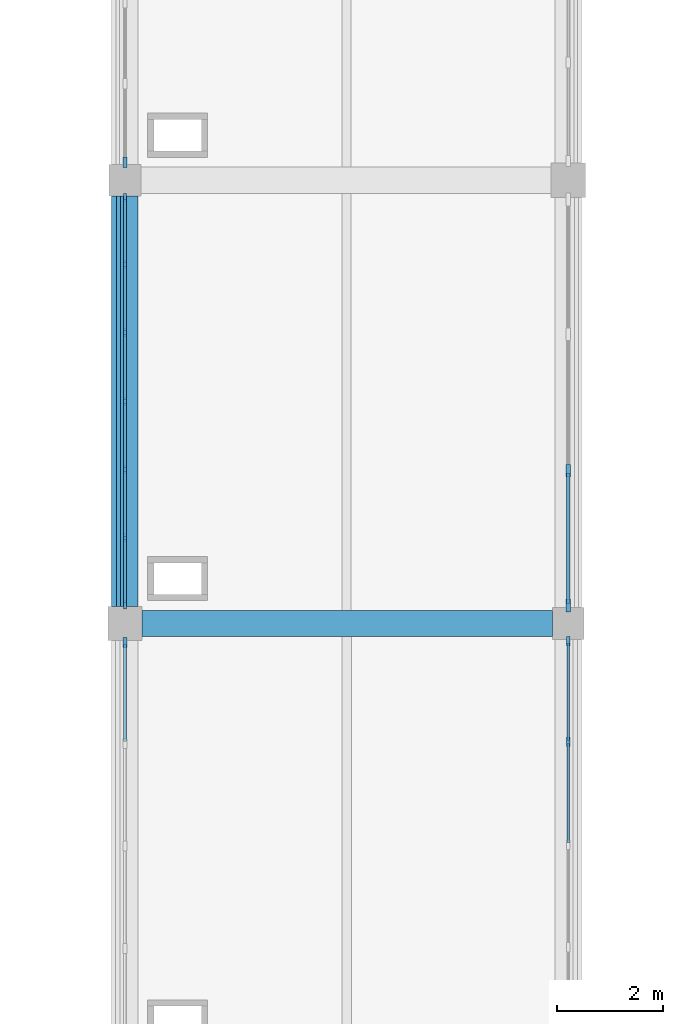
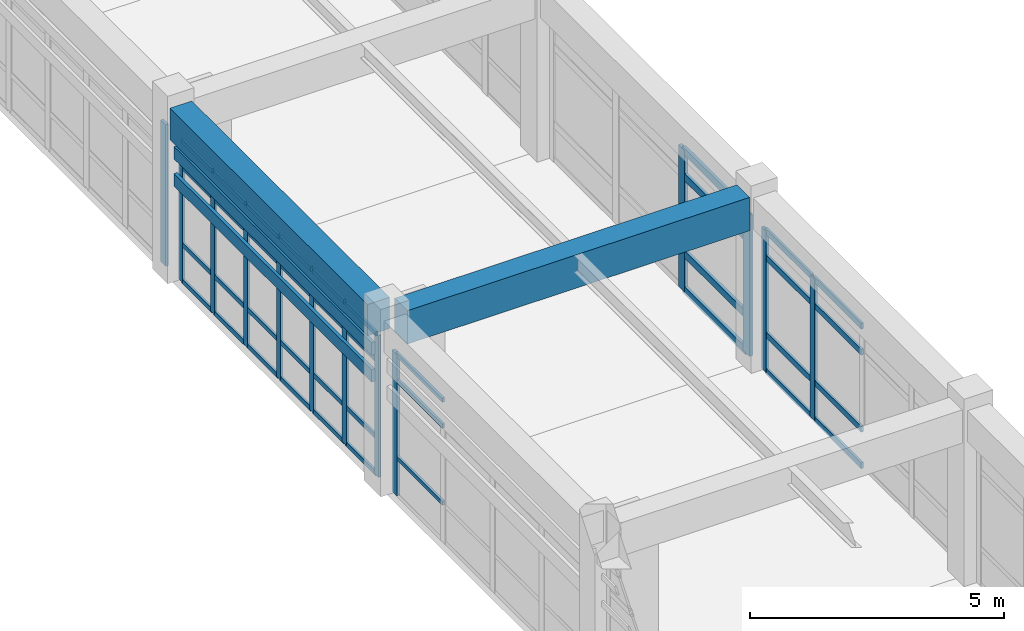
# One storey, part 36 of 99: 54 members, 2 beams, 5 elements without a shape of their own.
"""IFC4 building model written with IfcOpenShell, lengths in metres."""

import ifcopenshell
import ifcopenshell.guid

model = None  # the IFC model being written
_history = None  # IfcOwnerHistory: only IFC2X3 demands one
_inside = {}  # id of a spatial element -> (the spatial element, [elements in it])
_under = {}  # id of a project, library or spatial element -> (it, [spatial elements below it])
_declared = {}  # id of a project -> (the project, [libraries it declares])
_typed = {}  # id of a type object -> (the type object, [elements of that type])
_made_of = {}  # id of a material, layer set ... -> (it, [elements and type objects made of it])


def new_model(schema):
    """Start an empty IFC model of exactly this schema.

    Asked for "IFC4X3", IfcOpenShell would pick the latest addendum, in which some entities
    have other attributes; the version numbers below select the first issue.
    IFC2X3 requires an IfcOwnerHistory on every rooted entity: one is made here for all.
    """
    global model, _history
    if schema == "IFC4X3":
        model = ifcopenshell.file(schema_version=(4, 3, 0, 0))
    else:
        model = ifcopenshell.file(schema=schema)
    _inside.clear()
    _under.clear()
    _declared.clear()
    _typed.clear()
    _made_of.clear()
    _history = None
    if model.schema == "IFC2X3":
        org = make("IfcOrganization", Name="unknown")
        user = make(
            "IfcPersonAndOrganization",
            ThePerson=make("IfcPerson", FamilyName="unknown"),
            TheOrganization=org,
        )
        app = make(
            "IfcApplication",
            ApplicationDeveloper=org,
            Version="unknown",
            ApplicationFullName="unknown",
            ApplicationIdentifier="unknown",
        )
        _history = make(
            "IfcOwnerHistory",
            OwningUser=user,
            OwningApplication=app,
            ChangeAction="ADDED",
            CreationDate=0,
        )
    return model


def make(cls, **values):
    """One entity of the class cls with the attributes given. An attribute that is None is left unset."""
    return model.create_entity(
        cls, **{name: value for name, value in values.items() if value is not None}
    )


def rooted(cls, **values):
    """An entity with a GlobalId (a new one), such as an element, a storey or a relation."""
    return make(cls, GlobalId=ifcopenshell.guid.new(), OwnerHistory=_history, **values)


def si_unit(unit_type, name, prefix=None):
    """IfcSIUnit, for example si_unit("LENGTHUNIT", "METRE", prefix="MILLI")."""
    return make("IfcSIUnit", UnitType=unit_type, Prefix=prefix, Name=name)


def assignment(units):
    """IfcUnitAssignment: the units of a project."""
    return None if units is None else make("IfcUnitAssignment", Units=units)


def point(xyz):
    """IfcCartesianPoint."""
    return None if xyz is None else make("IfcCartesianPoint", Coordinates=xyz)


def direction(xyz):
    """IfcDirection."""
    return None if xyz is None else make("IfcDirection", DirectionRatios=xyz)


def frame(location, z_axis=None, x_axis=None):
    """IfcAxis2Placement3D, a coordinate frame: its origin and axes. An axis left out is left unset."""
    return make(
        "IfcAxis2Placement3D",
        Location=point(location),
        Axis=direction(z_axis),
        RefDirection=direction(x_axis),
    )


def frame_2d(location, x_axis=None):
    """IfcAxis2Placement2D, a coordinate frame in the plane: its origin and x axis."""
    return make(
        "IfcAxis2Placement2D", Location=point(location), RefDirection=direction(x_axis)
    )


def origin():
    """The frame at (0, 0, 0) with its axes left unset."""
    return frame((0.0, 0.0, 0.0))


def origin_2d():
    """The frame at (0, 0) in the plane with its x axis left unset."""
    return frame_2d((0.0, 0.0))


def place(relative_to, where):
    """IfcLocalPlacement: puts the frame where relative to a parent placement (None: the world)."""
    return make(
        "IfcLocalPlacement", PlacementRelTo=relative_to, RelativePlacement=where
    )


def context(
    kind, dimensions, precision=None, world=None, true_north=None, identifier=None
):
    """IfcGeometricRepresentationContext, for example the 3D "Model" context."""
    return make(
        "IfcGeometricRepresentationContext",
        ContextIdentifier=identifier,
        ContextType=kind,
        CoordinateSpaceDimension=dimensions,
        Precision=precision,
        WorldCoordinateSystem=world,
        TrueNorth=true_north,
    )


def subcontext(parent, identifier, kind, view, scale=None):
    """IfcGeometricRepresentationSubContext, for example "Body" below "Model"."""
    return make(
        "IfcGeometricRepresentationSubContext",
        ContextIdentifier=identifier,
        ContextType=kind,
        ParentContext=parent,
        TargetScale=scale,
        TargetView=view,
    )


def project(units=None, contexts=None):
    """IfcProject with its units and contexts."""
    return rooted(
        "IfcProject",
        Name="project",
        RepresentationContexts=contexts,
        UnitsInContext=assignment(units),
    )


def spatial(cls, under=None, at=None, **own):
    """A site, building, storey or space (cls), placed at a placement, below another one or the project."""
    s = rooted(cls, ObjectPlacement=at, **own)
    if under is not None:
        _under.setdefault(under.id(), (under, []))[1].append(s)
    return s


def profile(cls, at=None, kind="AREA", **sizes):
    """A parametric profile (cls). Its sizes go by their IFC names, for example OverallWidth=200.0."""
    return make(cls, ProfileType=kind, Position=at, **sizes)


def rectangle(**sizes):
    """IfcRectangleProfileDef."""
    return profile("IfcRectangleProfileDef", **sizes)


def extrude(swept, where, along, depth):
    """IfcExtrudedAreaSolid: the profile swept, set in the frame where, extruded along a direction by depth."""
    return make(
        "IfcExtrudedAreaSolid",
        SweptArea=swept,
        Position=where,
        ExtrudedDirection=direction(along),
        Depth=depth,
    )


def shape(context_of_items, identifier, shape_type, items):
    """IfcShapeRepresentation: the items that make up one representation, for example the "Body"."""
    return make(
        "IfcShapeRepresentation",
        ContextOfItems=context_of_items,
        RepresentationIdentifier=identifier,
        RepresentationType=shape_type,
        Items=items,
    )


def material(Name=None, Category=None):
    """IfcMaterial."""
    return make("IfcMaterial", Name=Name, Category=Category)


def layer(
    of_material, thickness, ventilated=None, Name=None, Category=None, Priority=None
):
    """IfcMaterialLayer: one layer of a wall or slab, of a material (None: an air gap)."""
    return make(
        "IfcMaterialLayer",
        Material=of_material,
        LayerThickness=thickness,
        IsVentilated=ventilated,
        Name=Name,
        Category=Category,
        Priority=Priority,
    )


def layer_set(layers, Name=None):
    """IfcMaterialLayerSet."""
    return make("IfcMaterialLayerSet", MaterialLayers=layers, LayerSetName=Name)


def material_profile(
    of_material, cross_section, Name=None, Category=None, Priority=None
):
    """IfcMaterialProfile: a cross section and its material."""
    return make(
        "IfcMaterialProfile",
        Name=Name,
        Material=of_material,
        Profile=cross_section,
        Priority=Priority,
        Category=Category,
    )


def profile_set(profiles, Name=None, composite=None):
    """IfcMaterialProfileSet."""
    return make(
        "IfcMaterialProfileSet",
        Name=Name,
        MaterialProfiles=profiles,
        CompositeProfile=composite,
    )


def made_of(thing, what):
    """Note that an element or type object is made of a material, layer set ...; save() writes the relation."""
    if what is not None:
        _made_of.setdefault(what.id(), (what, []))[1].append(thing)
    return thing


def type_object(cls, material=None, **own):
    """A type object (cls), such as IfcWallType, which elements share."""
    return made_of(rooted(cls, **own), material)


def element(
    cls,
    number,
    at=None,
    inside=None,
    cuts=None,
    type_object=None,
    material=None,
    context=None,
    identifier="Body",
    shape_type=None,
    held_by="IfcProductDefinitionShape",
    body=None,
    shapes=None,
    **own,
):
    """One element of the class cls, such as IfcWall. Its Tag is "e" and its number.

    at: its placement. inside: the storey or other place that contains it. cuts: it is an
    opening in that element (IfcRelVoidsElement). A single representation is given by context,
    identifier, shape_type and body (its items); several are given by shapes. held_by: the class
    of the entity that holds the representations. save() writes the other relations.
    """
    e = rooted(cls, Tag="e%d" % number, ObjectPlacement=at, **own)
    if body is not None:
        shapes = [shape(context, identifier, shape_type, body)]
    if shapes is not None:
        e.Representation = make(held_by, Representations=shapes)
    if inside is not None:
        _inside.setdefault(inside.id(), (inside, []))[1].append(e)
    if cuts is not None:
        rooted(
            "IfcRelVoidsElement", RelatingBuildingElement=cuts, RelatedOpeningElement=e
        )
    if type_object is not None:
        _typed.setdefault(type_object.id(), (type_object, []))[1].append(e)
    return made_of(e, material)


def aggregate(whole, parts):
    """IfcRelAggregates: a whole, such as a stair, and the parts it consists of."""
    return rooted("IfcRelAggregates", RelatingObject=whole, RelatedObjects=parts)


def save(model, path):
    """Write the relations noted so far, then the file.

    IfcRelAggregates (storeys below a building ...), IfcRelContainedInSpatialStructure (elements
    in a storey), IfcRelDefinesByType, IfcRelAssociatesMaterial and IfcRelDeclares: one each for
    every whole, place, type object, material and project.
    """
    for whole, parts in _under.values():
        aggregate(whole, parts)
    for where, things in _inside.values():
        rooted(
            "IfcRelContainedInSpatialStructure",
            RelatedElements=things,
            RelatingStructure=where,
        )
    for kind, things in _typed.values():
        rooted("IfcRelDefinesByType", RelatedObjects=things, RelatingType=kind)
    for what, things in _made_of.values():
        rooted("IfcRelAssociatesMaterial", RelatedObjects=things, RelatingMaterial=what)
    for by, libraries in _declared.values():
        rooted("IfcRelDeclares", RelatingContext=by, RelatedDefinitions=libraries)
    model.write(path)


model = new_model("IFC4")

# Units and contexts
model_context = context("Model", 3, precision=1e-05, world=origin(), true_north=direction((0.0, 1.0)))
body_context = subcontext(model_context, "Body", "Model", "MODEL_VIEW")
ifc_project = project(units=[si_unit("LENGTHUNIT", "METRE"), si_unit("AREAUNIT", "SQUARE_METRE"), si_unit("VOLUMEUNIT", "CUBIC_METRE"), si_unit("PLANEANGLEUNIT", "RADIAN"), si_unit("MASSUNIT", "GRAM", prefix="KILO")], contexts=[model_context])

# Site, building, storey
site_placement = place(None, origin())
site = spatial("IfcSite", under=ifc_project, at=site_placement, CompositionType="ELEMENT")
building_placement = place(site_placement, origin())
building = spatial("IfcBuilding", under=site, at=building_placement, Name="Porcellanite Civic Hall", CompositionType="ELEMENT")
storey_placement = place(building_placement, frame((0.0, 0.0, 5.760009765625)))
storey = spatial("IfcBuildingStorey", under=building, at=storey_placement, Name="L01", CompositionType="ELEMENT", Elevation=5.760009765625)

# Beams
ifc_material_1 = material(Name="Concrete N50 (50 MPa)", Category="concrete")
ifc_material_profile_1 = material_profile(ifc_material_1, rectangle(XDim=0.5, YDim=0.75, at=origin_2d()), Name="RC-500x750")
ifc_profile_set_1 = profile_set([ifc_material_profile_1], Name="Concrete N50 (50 MPa)")
beam_type_1 = type_object("IfcBeamType", Name="BM-RC750", PredefinedType="SPANDREL", material=ifc_profile_set_1)
beam_1_placement = place(storey_placement, frame((117.60009765625, 84.324462890625, 3.824951171875), z_axis=(0.0, 1.0, 0.0), x_axis=(-1.0, 0.0, 0.0)))
element("IfcBeam", 1, at=beam_1_placement, inside=storey, type_object=beam_type_1, Name="Beam Y L01 15-11", PredefinedType="SPANDREL", context=body_context, shape_type="SweptSolid", body=[
    extrude(rectangle(XDim=0.5, YDim=0.75, at=origin_2d()), origin(), (0.0, 0.0, 1.0), 7.776123046875),
])
ifc_material_2 = material(Name="Concrete N50 (50 MPa)", Category="concrete")
ifc_material_profile_2 = material_profile(ifc_material_2, rectangle(XDim=0.5, YDim=0.800048828125, at=origin_2d()), Name="RC-500x800")
ifc_profile_set_2 = profile_set([ifc_material_profile_2], Name="Concrete N50 (50 MPa)")
beam_type_2 = type_object("IfcBeamType", Name="BM-RC800", PredefinedType="BEAM", material=ifc_profile_set_2)
beam_2_placement = place(storey_placement, frame((117.924560546875, 84.0, 3.800048828125), z_axis=(1.0, 0.0, 0.0), x_axis=(0.0, 1.0, 0.0)))
element("IfcBeam", 2, at=beam_2_placement, inside=storey, type_object=beam_type_2, Name="Beam X L01 15-11", PredefinedType="BEAM", context=body_context, shape_type="SweptSolid", body=[
    extrude(rectangle(XDim=0.5, YDim=0.800048828125, at=origin_2d()), origin(), (0.0, 0.0, 1.0), 7.77587890625),
])

# Curtain wall, members
ifc_material_3 = material(Name="Anodised aluminium and solar laminated glass", Category="aluminium")
ifc_layer_1 = layer(ifc_material_3, 0.179931640625)
ifc_layer_set_1 = layer_set([ifc_layer_1], Name="Anodised aluminium and solar laminated glass")
curtain_wall_type_1 = type_object("IfcCurtainWallType", Name="CW-SYS08", PredefinedType="NOTDEFINED", material=ifc_layer_set_1)
curtain_wall_1_placement = place(storey_placement, origin())
curtain_wall_1 = element("IfcCurtainWall", 3, at=curtain_wall_1_placement, inside=storey, type_object=curtain_wall_type_1, Name="Curtain wall CW-112", PredefinedType="NOTDEFINED")
ifc_material_4 = material(Name="Anodised aluminium 6063-T6", Category="aluminium")
ifc_material_profile_3 = material_profile(ifc_material_4, rectangle(XDim=0.080078125, YDim=0.239990234375, at=origin_2d()), Name="AL-80x240")
ifc_profile_set_3 = profile_set([ifc_material_profile_3], Name="Anodised aluminium 6063-T6")
member_type_1 = type_object("IfcMemberType", Name="CWM-01", PredefinedType="MULLION", material=ifc_profile_set_3)
member_1_placement = place(storey_placement, frame((126.0, 86.89208984375, 0.0), z_axis=(0.0, 0.0, 1.0), x_axis=(1.0, 0.0, 0.0)))
member_1 = element("IfcMember", 4, at=member_1_placement, type_object=member_type_1, Name="CW-112 mullion 3", PredefinedType="MULLION", context=body_context, shape_type="SweptSolid", body=[
    extrude(rectangle(XDim=0.080078125, YDim=0.239990234375, at=origin_2d()), origin(), (0.0, 0.0, 1.0), 3.39990234375),
])
member_2_placement = place(storey_placement, frame((126.0, 84.341064453125, 0.0), z_axis=(0.0, 0.0, 1.0), x_axis=(1.0, 0.0, 0.0)))
member_2 = element("IfcMember", 5, at=member_2_placement, type_object=member_type_1, Name="CW-112 mullion 4", PredefinedType="MULLION", context=body_context, shape_type="SweptSolid", body=[
    extrude(rectangle(XDim=0.080078125, YDim=0.239990234375, at=origin_2d()), origin(), (0.0, 0.0, 1.0), 3.39990234375),
])

# Curtain wall, member
ifc_material_5 = material(Name="Anodised aluminium and solar laminated glass", Category="aluminium")
ifc_layer_2 = layer(ifc_material_5, 0.179931640625)
ifc_layer_set_2 = layer_set([ifc_layer_2], Name="Anodised aluminium and solar laminated glass")
curtain_wall_type_2 = type_object("IfcCurtainWallType", Name="CW-SYS04", PredefinedType="NOTDEFINED", material=ifc_layer_set_2)
curtain_wall_2_placement = place(storey_placement, origin())
curtain_wall_2 = element("IfcCurtainWall", 6, at=curtain_wall_2_placement, inside=storey, type_object=curtain_wall_type_2, Name="Curtain wall CW-109", PredefinedType="NOTDEFINED")
ifc_material_6 = material(Name="Anodised aluminium 6063-T6", Category="aluminium")
ifc_material_profile_4 = material_profile(ifc_material_6, rectangle(XDim=0.074951171875, YDim=0.18994140625, at=origin_2d()), Name="AL-75x190")
ifc_profile_set_4 = profile_set([ifc_material_profile_4], Name="Anodised aluminium 6063-T6")
member_type_2 = type_object("IfcMemberType", Name="CWM-04", PredefinedType="MULLION", material=ifc_profile_set_4)
member_3_placement = place(storey_placement, frame((117.60009765625, 83.636474609375, 0.0), z_axis=(0.0, 0.0, 1.0), x_axis=(-1.0, 0.0, 0.0)))
member_3 = element("IfcMember", 7, at=member_3_placement, type_object=member_type_2, Name="CW-109 mullion 5", PredefinedType="MULLION", context=body_context, shape_type="SweptSolid", body=[
    extrude(rectangle(XDim=0.074951171875, YDim=0.18994140625, at=origin_2d()), origin(), (0.0, 0.0, 1.0), 3.39990234375),
])

ifc_material_7 = material(Name="Anodised aluminium and solar laminated glass", Category="aluminium")
ifc_layer_3 = layer(ifc_material_7, 0.179931640625)
ifc_layer_set_3 = layer_set([ifc_layer_3], Name="Anodised aluminium and solar laminated glass")
curtain_wall_type_3 = type_object("IfcCurtainWallType", Name="CW-SYS01", PredefinedType="NOTDEFINED", material=ifc_layer_set_3)
curtain_wall_3_placement = place(storey_placement, origin())
curtain_wall_3 = element("IfcCurtainWall", 8, at=curtain_wall_3_placement, inside=storey, type_object=curtain_wall_type_3, Name="Curtain wall CW-113", PredefinedType="NOTDEFINED")
ifc_material_8 = material(Name="Anodised aluminium 6063-T6", Category="aluminium")
ifc_material_profile_5 = material_profile(ifc_material_8, rectangle(XDim=0.070068359375, YDim=0.199951171875, at=origin_2d()), Name="AL-70x200")
ifc_profile_set_5 = profile_set([ifc_material_profile_5], Name="Anodised aluminium 6063-T6")
member_type_3 = type_object("IfcMemberType", Name="CWM-05", PredefinedType="MULLION", material=ifc_profile_set_5)
member_4_placement = place(storey_placement, frame((117.60009765625, 92.736083984375, 0.0), z_axis=(0.0, 0.0, 1.0), x_axis=(-1.0, 0.0, 0.0)))
member_4 = element("IfcMember", 9, at=member_4_placement, type_object=member_type_3, Name="CW-113 mullion 1", PredefinedType="MULLION", context=body_context, shape_type="SweptSolid", body=[
    extrude(rectangle(XDim=0.070068359375, YDim=0.199951171875, at=origin_2d()), origin(), (0.0, 0.0, 1.0), 3.39990234375),
])
aggregate(curtain_wall_3, [member_4])

# Curtain wall, members
ifc_material_9 = material(Name="Anodised aluminium and solar laminated glass", Category="aluminium")
ifc_layer_4 = layer(ifc_material_9, 0.179931640625)
ifc_layer_set_4 = layer_set([ifc_layer_4], Name="Anodised aluminium and solar laminated glass")
curtain_wall_type_4 = type_object("IfcCurtainWallType", Name="CW-SYS06", PredefinedType="NOTDEFINED", material=ifc_layer_set_4)
curtain_wall_4_placement = place(storey_placement, origin())
curtain_wall_4 = element("IfcCurtainWall", 10, at=curtain_wall_4_placement, inside=storey, type_object=curtain_wall_type_4, Name="Curtain wall CW-110", PredefinedType="NOTDEFINED")
ifc_material_10 = material(Name="Anodised aluminium 6063-T6", Category="aluminium")
ifc_material_profile_6 = material_profile(ifc_material_10, rectangle(XDim=0.06494140625, YDim=0.179931640625, at=origin_2d()), Name="AL-65x180")
ifc_profile_set_6 = profile_set([ifc_material_profile_6], Name="Anodised aluminium 6063-T6")
member_type_4 = type_object("IfcMemberType", Name="CWM-06", PredefinedType="MULLION", material=ifc_profile_set_6)
member_5_placement = place(storey_placement, frame((126.0, 83.66650390625, 0.0), z_axis=(0.0, 0.0, 1.0), x_axis=(1.0, 0.0, 0.0)))
member_5 = element("IfcMember", 11, at=member_5_placement, type_object=member_type_4, Name="CW-110 mullion 1", PredefinedType="MULLION", context=body_context, shape_type="SweptSolid", body=[
    extrude(rectangle(XDim=0.06494140625, YDim=0.179931640625, at=origin_2d()), origin(), (0.0, 0.0, 1.0), 3.39990234375),
])
member_6_placement = place(storey_placement, frame((126.0, 81.755859375, 0.0), z_axis=(0.0, 0.0, 1.0), x_axis=(1.0, 0.0, 0.0)))
member_6 = element("IfcMember", 12, at=member_6_placement, type_object=member_type_4, Name="CW-110 mullion 2", PredefinedType="MULLION", context=body_context, shape_type="SweptSolid", body=[
    extrude(rectangle(XDim=0.06494140625, YDim=0.179931640625, at=origin_2d()), origin(), (0.0, 0.0, 1.0), 3.39990234375),
])

ifc_material_11 = material(Name="Anodised aluminium and solar laminated glass", Category="aluminium")
ifc_layer_5 = layer(ifc_material_11, 0.179931640625)
ifc_layer_set_5 = layer_set([ifc_layer_5], Name="Anodised aluminium and solar laminated glass")
curtain_wall_type_5 = type_object("IfcCurtainWallType", Name="CW-SYS07", PredefinedType="NOTDEFINED", material=ifc_layer_set_5)
curtain_wall_5_placement = place(storey_placement, origin())
curtain_wall_5 = element("IfcCurtainWall", 13, at=curtain_wall_5_placement, inside=storey, type_object=curtain_wall_type_5, Name="Curtain wall CW-111", PredefinedType="NOTDEFINED")
ifc_material_12 = material(Name="Anodised aluminium 6063-T6", Category="aluminium")
ifc_material_profile_7 = material_profile(ifc_material_12, rectangle(XDim=0.06005859375, YDim=0.159912109375, at=origin_2d()), Name="AL-60x160")
ifc_profile_set_7 = profile_set([ifc_material_profile_7], Name="Anodised aluminium 6063-T6")
member_type_5 = type_object("IfcMemberType", Name="CWM-07", PredefinedType="MULLION", material=ifc_profile_set_7)
member_7_placement = place(storey_placement, frame((117.60009765625, 84.35595703125, 0.0), z_axis=(0.0, 0.0, 1.0), x_axis=(-1.0, 0.0, 0.0)))
member_7 = element("IfcMember", 14, at=member_7_placement, type_object=member_type_5, Name="CW-111 mullion 1", PredefinedType="MULLION", context=body_context, shape_type="SweptSolid", body=[
    extrude(rectangle(XDim=0.06005859375, YDim=0.159912109375, at=origin_2d()), origin(), (0.0, 0.0, 1.0), 3.39990234375),
])
member_8_placement = place(storey_placement, frame((117.60009765625, 85.62158203125, 0.0), z_axis=(0.0, 0.0, 1.0), x_axis=(-1.0, 0.0, 0.0)))
member_8 = element("IfcMember", 15, at=member_8_placement, type_object=member_type_5, Name="CW-111 mullion 2", PredefinedType="MULLION", context=body_context, shape_type="SweptSolid", body=[
    extrude(rectangle(XDim=0.06005859375, YDim=0.159912109375, at=origin_2d()), origin(), (0.0, 0.0, 1.0), 3.39990234375),
])
member_9_placement = place(storey_placement, frame((117.60009765625, 86.9169921875, 0.0), z_axis=(0.0, 0.0, 1.0), x_axis=(-1.0, 0.0, 0.0)))
member_9 = element("IfcMember", 16, at=member_9_placement, type_object=member_type_5, Name="CW-111 mullion 3", PredefinedType="MULLION", context=body_context, shape_type="SweptSolid", body=[
    extrude(rectangle(XDim=0.06005859375, YDim=0.159912109375, at=origin_2d()), origin(), (0.0, 0.0, 1.0), 3.39990234375),
])
member_10_placement = place(storey_placement, frame((117.60009765625, 88.21240234375, 0.0), z_axis=(0.0, 0.0, 1.0), x_axis=(-1.0, 0.0, 0.0)))
member_10 = element("IfcMember", 17, at=member_10_placement, type_object=member_type_5, Name="CW-111 mullion 4", PredefinedType="MULLION", context=body_context, shape_type="SweptSolid", body=[
    extrude(rectangle(XDim=0.06005859375, YDim=0.159912109375, at=origin_2d()), origin(), (0.0, 0.0, 1.0), 3.39990234375),
])
member_11_placement = place(storey_placement, frame((117.60009765625, 89.508056640625, 0.0), z_axis=(0.0, 0.0, 1.0), x_axis=(-1.0, 0.0, 0.0)))
member_11 = element("IfcMember", 18, at=member_11_placement, type_object=member_type_5, Name="CW-111 mullion 5", PredefinedType="MULLION", context=body_context, shape_type="SweptSolid", body=[
    extrude(rectangle(XDim=0.06005859375, YDim=0.159912109375, at=origin_2d()), origin(), (0.0, 0.0, 1.0), 3.39990234375),
])
member_12_placement = place(storey_placement, frame((117.60009765625, 90.803466796875, 0.0), z_axis=(0.0, 0.0, 1.0), x_axis=(-1.0, 0.0, 0.0)))
member_12 = element("IfcMember", 19, at=member_12_placement, type_object=member_type_5, Name="CW-111 mullion 6", PredefinedType="MULLION", context=body_context, shape_type="SweptSolid", body=[
    extrude(rectangle(XDim=0.06005859375, YDim=0.159912109375, at=origin_2d()), origin(), (0.0, 0.0, 1.0), 3.39990234375),
])
member_13_placement = place(storey_placement, frame((117.60009765625, 92.069091796875, 0.0), z_axis=(0.0, 0.0, 1.0), x_axis=(-1.0, 0.0, 0.0)))
member_13 = element("IfcMember", 20, at=member_13_placement, type_object=member_type_5, Name="CW-111 mullion 7", PredefinedType="MULLION", context=body_context, shape_type="SweptSolid", body=[
    extrude(rectangle(XDim=0.06005859375, YDim=0.159912109375, at=origin_2d()), origin(), (0.0, 0.0, 1.0), 3.39990234375),
])

# Member
ifc_material_13 = material(Name="Anodised aluminium 6063-T6", Category="aluminium")
ifc_material_profile_8 = material_profile(ifc_material_13, rectangle(XDim=0.070068359375, YDim=0.175048828125, at=origin_2d()), Name="AL-70x175")
ifc_profile_set_8 = profile_set([ifc_material_profile_8], Name="Anodised aluminium 6063-T6")
member_type_6 = type_object("IfcMemberType", Name="CWT-01", PredefinedType="USERDEFINED", material=ifc_profile_set_8)
member_14_placement = place(storey_placement, frame((126.0, 86.85205078125, 0.034912109375), z_axis=(0.0, -1.0, 0.0), x_axis=(1.0, 0.0, 0.0)))
member_14 = element("IfcMember", 21, at=member_14_placement, type_object=member_type_6, Name="CW-112 transom 3.1", ObjectType="TRANSOM", PredefinedType="USERDEFINED", context=body_context, shape_type="SweptSolid", body=[
    extrude(rectangle(XDim=0.070068359375, YDim=0.175048828125, at=origin_2d()), origin(), (0.0, 0.0, 1.0), 2.470947265625),
])

member_15_placement = place(storey_placement, frame((126.0, 86.85205078125, 0.89990234375), z_axis=(0.0, -1.0, 0.0), x_axis=(1.0, 0.0, 0.0)))
member_15 = element("IfcMember", 22, at=member_15_placement, type_object=member_type_6, Name="CW-112 transom 3.2", ObjectType="TRANSOM", PredefinedType="USERDEFINED", context=body_context, shape_type="SweptSolid", body=[
    extrude(rectangle(XDim=0.070068359375, YDim=0.175048828125, at=origin_2d()), origin(), (0.0, 0.0, 1.0), 2.470947265625),
])

member_16_placement = place(storey_placement, frame((126.0, 86.85205078125, 2.75), z_axis=(0.0, -1.0, 0.0), x_axis=(1.0, 0.0, 0.0)))
member_16 = element("IfcMember", 23, at=member_16_placement, type_object=member_type_6, Name="CW-112 transom 3.3", ObjectType="TRANSOM", PredefinedType="USERDEFINED", context=body_context, shape_type="SweptSolid", body=[
    extrude(rectangle(XDim=0.070068359375, YDim=0.175048828125, at=origin_2d()), origin(), (0.0, 0.0, 1.0), 2.470947265625),
])

member_17_placement = place(storey_placement, frame((126.0, 86.85205078125, 3.364990234375), z_axis=(0.0, -1.0, 0.0), x_axis=(1.0, 0.0, 0.0)))
member_17 = element("IfcMember", 24, at=member_17_placement, type_object=member_type_6, Name="CW-112 transom 3.4", ObjectType="TRANSOM", PredefinedType="USERDEFINED", context=body_context, shape_type="SweptSolid", body=[
    extrude(rectangle(XDim=0.070068359375, YDim=0.175048828125, at=origin_2d()), origin(), (0.0, 0.0, 1.0), 2.470947265625),
])

aggregate(curtain_wall_1, [member_1, member_2, member_14, member_15, member_16, member_17])

ifc_material_14 = material(Name="Anodised aluminium 6063-T6", Category="aluminium")
ifc_material_profile_9 = material_profile(ifc_material_14, rectangle(XDim=0.054931640625, YDim=0.10009765625, at=origin_2d()), Name="AL-55x100")
ifc_profile_set_9 = profile_set([ifc_material_profile_9], Name="Anodised aluminium 6063-T6")
member_type_7 = type_object("IfcMemberType", Name="CWT-05", PredefinedType="USERDEFINED", material=ifc_profile_set_9)
member_18_placement = place(storey_placement, frame((117.60009765625, 81.768310546875, 0.89990234375), z_axis=(0.0, 1.0, 0.0), x_axis=(-1.0, 0.0, 0.0)))
member_18 = element("IfcMember", 25, at=member_18_placement, type_object=member_type_7, Name="CW-109 transom 4.2", ObjectType="TRANSOM", PredefinedType="USERDEFINED", context=body_context, shape_type="SweptSolid", body=[
    extrude(rectangle(XDim=0.054931640625, YDim=0.10009765625, at=origin_2d()), origin(), (0.0, 0.0, 1.0), 1.830810546875),
])

member_19_placement = place(storey_placement, frame((117.60009765625, 81.768310546875, 2.75), z_axis=(0.0, 1.0, 0.0), x_axis=(-1.0, 0.0, 0.0)))
member_19 = element("IfcMember", 26, at=member_19_placement, type_object=member_type_7, Name="CW-109 transom 4.3", ObjectType="TRANSOM", PredefinedType="USERDEFINED", context=body_context, shape_type="SweptSolid", body=[
    extrude(rectangle(XDim=0.054931640625, YDim=0.10009765625, at=origin_2d()), origin(), (0.0, 0.0, 1.0), 1.830810546875),
])

member_20_placement = place(storey_placement, frame((117.60009765625, 81.768310546875, 3.37255859375), z_axis=(0.0, 1.0, 0.0), x_axis=(-1.0, 0.0, 0.0)))
member_20 = element("IfcMember", 27, at=member_20_placement, type_object=member_type_7, Name="CW-109 transom 4.4", ObjectType="TRANSOM", PredefinedType="USERDEFINED", context=body_context, shape_type="SweptSolid", body=[
    extrude(rectangle(XDim=0.054931640625, YDim=0.10009765625, at=origin_2d()), origin(), (0.0, 0.0, 1.0), 1.830810546875),
])

aggregate(curtain_wall_2, [member_3, member_18, member_19, member_20])

ifc_material_15 = material(Name="Anodised aluminium 6063-T6", Category="aluminium")
ifc_material_profile_10 = material_profile(ifc_material_15, rectangle(XDim=0.050048828125, YDim=0.139892578125, at=origin_2d()), Name="AL-50x140")
ifc_profile_set_10 = profile_set([ifc_material_profile_10], Name="Anodised aluminium 6063-T6")
member_type_8 = type_object("IfcMemberType", Name="CWT-06", PredefinedType="USERDEFINED", material=ifc_profile_set_10)
member_21_placement = place(storey_placement, frame((126.0, 83.634033203125, 0.02490234375), z_axis=(0.0, -1.0, 0.0), x_axis=(1.0, 0.0, 0.0)))
member_21 = element("IfcMember", 28, at=member_21_placement, type_object=member_type_8, Name="CW-110 transom 1.1", ObjectType="TRANSOM", PredefinedType="USERDEFINED", context=body_context, shape_type="SweptSolid", body=[
    extrude(rectangle(XDim=0.050048828125, YDim=0.139892578125, at=origin_2d()), origin(), (0.0, 0.0, 1.0), 1.845703125),
])

member_22_placement = place(storey_placement, frame((126.0, 83.634033203125, 0.89990234375), z_axis=(0.0, -1.0, 0.0), x_axis=(1.0, 0.0, 0.0)))
member_22 = element("IfcMember", 29, at=member_22_placement, type_object=member_type_8, Name="CW-110 transom 1.2", ObjectType="TRANSOM", PredefinedType="USERDEFINED", context=body_context, shape_type="SweptSolid", body=[
    extrude(rectangle(XDim=0.050048828125, YDim=0.139892578125, at=origin_2d()), origin(), (0.0, 0.0, 1.0), 1.845703125),
])

member_23_placement = place(storey_placement, frame((126.0, 83.634033203125, 2.75), z_axis=(0.0, -1.0, 0.0), x_axis=(1.0, 0.0, 0.0)))
member_23 = element("IfcMember", 30, at=member_23_placement, type_object=member_type_8, Name="CW-110 transom 1.3", ObjectType="TRANSOM", PredefinedType="USERDEFINED", context=body_context, shape_type="SweptSolid", body=[
    extrude(rectangle(XDim=0.050048828125, YDim=0.139892578125, at=origin_2d()), origin(), (0.0, 0.0, 1.0), 1.845703125),
])

member_24_placement = place(storey_placement, frame((126.0, 83.634033203125, 3.375), z_axis=(0.0, -1.0, 0.0), x_axis=(1.0, 0.0, 0.0)))
member_24 = element("IfcMember", 31, at=member_24_placement, type_object=member_type_8, Name="CW-110 transom 1.4", ObjectType="TRANSOM", PredefinedType="USERDEFINED", context=body_context, shape_type="SweptSolid", body=[
    extrude(rectangle(XDim=0.050048828125, YDim=0.139892578125, at=origin_2d()), origin(), (0.0, 0.0, 1.0), 1.845703125),
])

member_25_placement = place(storey_placement, frame((126.0, 81.72314453125, 0.02490234375), z_axis=(0.0, -1.0, 0.0), x_axis=(1.0, 0.0, 0.0)))
member_25 = element("IfcMember", 32, at=member_25_placement, type_object=member_type_8, Name="CW-110 transom 2.1", ObjectType="TRANSOM", PredefinedType="USERDEFINED", context=body_context, shape_type="SweptSolid", body=[
    extrude(rectangle(XDim=0.050048828125, YDim=0.139892578125, at=origin_2d()), origin(), (0.0, 0.0, 1.0), 1.878173828125),
])

member_26_placement = place(storey_placement, frame((126.0, 81.72314453125, 0.89990234375), z_axis=(0.0, -1.0, 0.0), x_axis=(1.0, 0.0, 0.0)))
member_26 = element("IfcMember", 33, at=member_26_placement, type_object=member_type_8, Name="CW-110 transom 2.2", ObjectType="TRANSOM", PredefinedType="USERDEFINED", context=body_context, shape_type="SweptSolid", body=[
    extrude(rectangle(XDim=0.050048828125, YDim=0.139892578125, at=origin_2d()), origin(), (0.0, 0.0, 1.0), 1.878173828125),
])

member_27_placement = place(storey_placement, frame((126.0, 81.72314453125, 2.75), z_axis=(0.0, -1.0, 0.0), x_axis=(1.0, 0.0, 0.0)))
member_27 = element("IfcMember", 34, at=member_27_placement, type_object=member_type_8, Name="CW-110 transom 2.3", ObjectType="TRANSOM", PredefinedType="USERDEFINED", context=body_context, shape_type="SweptSolid", body=[
    extrude(rectangle(XDim=0.050048828125, YDim=0.139892578125, at=origin_2d()), origin(), (0.0, 0.0, 1.0), 1.878173828125),
])

member_28_placement = place(storey_placement, frame((126.0, 81.72314453125, 3.375), z_axis=(0.0, -1.0, 0.0), x_axis=(1.0, 0.0, 0.0)))
member_28 = element("IfcMember", 35, at=member_28_placement, type_object=member_type_8, Name="CW-110 transom 2.4", ObjectType="TRANSOM", PredefinedType="USERDEFINED", context=body_context, shape_type="SweptSolid", body=[
    extrude(rectangle(XDim=0.050048828125, YDim=0.139892578125, at=origin_2d()), origin(), (0.0, 0.0, 1.0), 1.878173828125),
])

aggregate(curtain_wall_4, [member_5, member_6, member_21, member_22, member_23, member_24, member_25, member_26, member_27, member_28])

ifc_material_16 = material(Name="Anodised aluminium 6063-T6", Category="aluminium")
ifc_material_profile_11 = material_profile(ifc_material_16, rectangle(XDim=0.050048828125, YDim=0.110107421875, at=origin_2d()), Name="AL-50x110")
ifc_profile_set_11 = profile_set([ifc_material_profile_11], Name="Anodised aluminium 6063-T6")
member_type_9 = type_object("IfcMemberType", Name="CWT-07", PredefinedType="USERDEFINED", material=ifc_profile_set_11)
member_29_placement = place(storey_placement, frame((117.60009765625, 84.385986328125, 0.02490234375), z_axis=(0.0, 1.0, 0.0), x_axis=(-1.0, 0.0, 0.0)))
member_29 = element("IfcMember", 36, at=member_29_placement, type_object=member_type_9, Name="CW-111 transom 1.1", ObjectType="TRANSOM", PredefinedType="USERDEFINED", context=body_context, shape_type="SweptSolid", body=[
    extrude(rectangle(XDim=0.050048828125, YDim=0.110107421875, at=origin_2d()), origin(), (0.0, 0.0, 1.0), 1.20556640625),
])

member_30_placement = place(storey_placement, frame((117.60009765625, 84.385986328125, 0.89990234375), z_axis=(0.0, 1.0, 0.0), x_axis=(-1.0, 0.0, 0.0)))
member_30 = element("IfcMember", 37, at=member_30_placement, type_object=member_type_9, Name="CW-111 transom 1.2", ObjectType="TRANSOM", PredefinedType="USERDEFINED", context=body_context, shape_type="SweptSolid", body=[
    extrude(rectangle(XDim=0.050048828125, YDim=0.110107421875, at=origin_2d()), origin(), (0.0, 0.0, 1.0), 1.20556640625),
])

member_31_placement = place(storey_placement, frame((117.60009765625, 84.385986328125, 2.75), z_axis=(0.0, 1.0, 0.0), x_axis=(-1.0, 0.0, 0.0)))
member_31 = element("IfcMember", 38, at=member_31_placement, type_object=member_type_9, Name="CW-111 transom 1.3", ObjectType="TRANSOM", PredefinedType="USERDEFINED", context=body_context, shape_type="SweptSolid", body=[
    extrude(rectangle(XDim=0.050048828125, YDim=0.110107421875, at=origin_2d()), origin(), (0.0, 0.0, 1.0), 1.20556640625),
])

member_32_placement = place(storey_placement, frame((117.60009765625, 84.385986328125, 3.375), z_axis=(0.0, 1.0, 0.0), x_axis=(-1.0, 0.0, 0.0)))
member_32 = element("IfcMember", 39, at=member_32_placement, type_object=member_type_9, Name="CW-111 transom 1.4", ObjectType="TRANSOM", PredefinedType="USERDEFINED", context=body_context, shape_type="SweptSolid", body=[
    extrude(rectangle(XDim=0.050048828125, YDim=0.110107421875, at=origin_2d()), origin(), (0.0, 0.0, 1.0), 1.20556640625),
])

member_33_placement = place(storey_placement, frame((117.60009765625, 85.651611328125, 0.02490234375), z_axis=(0.0, 1.0, 0.0), x_axis=(-1.0, 0.0, 0.0)))
member_33 = element("IfcMember", 40, at=member_33_placement, type_object=member_type_9, Name="CW-111 transom 2.1", ObjectType="TRANSOM", PredefinedType="USERDEFINED", context=body_context, shape_type="SweptSolid", body=[
    extrude(rectangle(XDim=0.050048828125, YDim=0.110107421875, at=origin_2d()), origin(), (0.0, 0.0, 1.0), 1.2353515625),
])

member_34_placement = place(storey_placement, frame((117.60009765625, 85.651611328125, 0.89990234375), z_axis=(0.0, 1.0, 0.0), x_axis=(-1.0, 0.0, 0.0)))
member_34 = element("IfcMember", 41, at=member_34_placement, type_object=member_type_9, Name="CW-111 transom 2.2", ObjectType="TRANSOM", PredefinedType="USERDEFINED", context=body_context, shape_type="SweptSolid", body=[
    extrude(rectangle(XDim=0.050048828125, YDim=0.110107421875, at=origin_2d()), origin(), (0.0, 0.0, 1.0), 1.2353515625),
])

member_35_placement = place(storey_placement, frame((117.60009765625, 85.651611328125, 2.75), z_axis=(0.0, 1.0, 0.0), x_axis=(-1.0, 0.0, 0.0)))
member_35 = element("IfcMember", 42, at=member_35_placement, type_object=member_type_9, Name="CW-111 transom 2.3", ObjectType="TRANSOM", PredefinedType="USERDEFINED", context=body_context, shape_type="SweptSolid", body=[
    extrude(rectangle(XDim=0.050048828125, YDim=0.110107421875, at=origin_2d()), origin(), (0.0, 0.0, 1.0), 1.2353515625),
])

member_36_placement = place(storey_placement, frame((117.60009765625, 85.651611328125, 3.375), z_axis=(0.0, 1.0, 0.0), x_axis=(-1.0, 0.0, 0.0)))
member_36 = element("IfcMember", 43, at=member_36_placement, type_object=member_type_9, Name="CW-111 transom 2.4", ObjectType="TRANSOM", PredefinedType="USERDEFINED", context=body_context, shape_type="SweptSolid", body=[
    extrude(rectangle(XDim=0.050048828125, YDim=0.110107421875, at=origin_2d()), origin(), (0.0, 0.0, 1.0), 1.2353515625),
])

member_37_placement = place(storey_placement, frame((117.60009765625, 86.947021484375, 0.02490234375), z_axis=(0.0, 1.0, 0.0), x_axis=(-1.0, 0.0, 0.0)))
member_37 = element("IfcMember", 44, at=member_37_placement, type_object=member_type_9, Name="CW-111 transom 3.1", ObjectType="TRANSOM", PredefinedType="USERDEFINED", context=body_context, shape_type="SweptSolid", body=[
    extrude(rectangle(XDim=0.050048828125, YDim=0.110107421875, at=origin_2d()), origin(), (0.0, 0.0, 1.0), 1.235595703125),
])

member_38_placement = place(storey_placement, frame((117.60009765625, 86.947021484375, 0.89990234375), z_axis=(0.0, 1.0, 0.0), x_axis=(-1.0, 0.0, 0.0)))
member_38 = element("IfcMember", 45, at=member_38_placement, type_object=member_type_9, Name="CW-111 transom 3.2", ObjectType="TRANSOM", PredefinedType="USERDEFINED", context=body_context, shape_type="SweptSolid", body=[
    extrude(rectangle(XDim=0.050048828125, YDim=0.110107421875, at=origin_2d()), origin(), (0.0, 0.0, 1.0), 1.235595703125),
])

member_39_placement = place(storey_placement, frame((117.60009765625, 86.947021484375, 2.75), z_axis=(0.0, 1.0, 0.0), x_axis=(-1.0, 0.0, 0.0)))
member_39 = element("IfcMember", 46, at=member_39_placement, type_object=member_type_9, Name="CW-111 transom 3.3", ObjectType="TRANSOM", PredefinedType="USERDEFINED", context=body_context, shape_type="SweptSolid", body=[
    extrude(rectangle(XDim=0.050048828125, YDim=0.110107421875, at=origin_2d()), origin(), (0.0, 0.0, 1.0), 1.235595703125),
])

member_40_placement = place(storey_placement, frame((117.60009765625, 86.947021484375, 3.375), z_axis=(0.0, 1.0, 0.0), x_axis=(-1.0, 0.0, 0.0)))
member_40 = element("IfcMember", 47, at=member_40_placement, type_object=member_type_9, Name="CW-111 transom 3.4", ObjectType="TRANSOM", PredefinedType="USERDEFINED", context=body_context, shape_type="SweptSolid", body=[
    extrude(rectangle(XDim=0.050048828125, YDim=0.110107421875, at=origin_2d()), origin(), (0.0, 0.0, 1.0), 1.235595703125),
])

member_41_placement = place(storey_placement, frame((117.60009765625, 88.242431640625, 0.02490234375), z_axis=(0.0, 1.0, 0.0), x_axis=(-1.0, 0.0, 0.0)))
member_41 = element("IfcMember", 48, at=member_41_placement, type_object=member_type_9, Name="CW-111 transom 4.1", ObjectType="TRANSOM", PredefinedType="USERDEFINED", context=body_context, shape_type="SweptSolid", body=[
    extrude(rectangle(XDim=0.050048828125, YDim=0.110107421875, at=origin_2d()), origin(), (0.0, 0.0, 1.0), 1.235595703125),
])

member_42_placement = place(storey_placement, frame((117.60009765625, 88.242431640625, 0.89990234375), z_axis=(0.0, 1.0, 0.0), x_axis=(-1.0, 0.0, 0.0)))
member_42 = element("IfcMember", 49, at=member_42_placement, type_object=member_type_9, Name="CW-111 transom 4.2", ObjectType="TRANSOM", PredefinedType="USERDEFINED", context=body_context, shape_type="SweptSolid", body=[
    extrude(rectangle(XDim=0.050048828125, YDim=0.110107421875, at=origin_2d()), origin(), (0.0, 0.0, 1.0), 1.235595703125),
])

member_43_placement = place(storey_placement, frame((117.60009765625, 88.242431640625, 2.75), z_axis=(0.0, 1.0, 0.0), x_axis=(-1.0, 0.0, 0.0)))
member_43 = element("IfcMember", 50, at=member_43_placement, type_object=member_type_9, Name="CW-111 transom 4.3", ObjectType="TRANSOM", PredefinedType="USERDEFINED", context=body_context, shape_type="SweptSolid", body=[
    extrude(rectangle(XDim=0.050048828125, YDim=0.110107421875, at=origin_2d()), origin(), (0.0, 0.0, 1.0), 1.235595703125),
])

member_44_placement = place(storey_placement, frame((117.60009765625, 88.242431640625, 3.375), z_axis=(0.0, 1.0, 0.0), x_axis=(-1.0, 0.0, 0.0)))
member_44 = element("IfcMember", 51, at=member_44_placement, type_object=member_type_9, Name="CW-111 transom 4.4", ObjectType="TRANSOM", PredefinedType="USERDEFINED", context=body_context, shape_type="SweptSolid", body=[
    extrude(rectangle(XDim=0.050048828125, YDim=0.110107421875, at=origin_2d()), origin(), (0.0, 0.0, 1.0), 1.235595703125),
])

member_45_placement = place(storey_placement, frame((117.60009765625, 89.5380859375, 0.02490234375), z_axis=(0.0, 1.0, 0.0), x_axis=(-1.0, 0.0, 0.0)))
member_45 = element("IfcMember", 52, at=member_45_placement, type_object=member_type_9, Name="CW-111 transom 5.1", ObjectType="TRANSOM", PredefinedType="USERDEFINED", context=body_context, shape_type="SweptSolid", body=[
    extrude(rectangle(XDim=0.050048828125, YDim=0.110107421875, at=origin_2d()), origin(), (0.0, 0.0, 1.0), 1.2353515625),
])

member_46_placement = place(storey_placement, frame((117.60009765625, 89.5380859375, 0.89990234375), z_axis=(0.0, 1.0, 0.0), x_axis=(-1.0, 0.0, 0.0)))
member_46 = element("IfcMember", 53, at=member_46_placement, type_object=member_type_9, Name="CW-111 transom 5.2", ObjectType="TRANSOM", PredefinedType="USERDEFINED", context=body_context, shape_type="SweptSolid", body=[
    extrude(rectangle(XDim=0.050048828125, YDim=0.110107421875, at=origin_2d()), origin(), (0.0, 0.0, 1.0), 1.2353515625),
])

member_47_placement = place(storey_placement, frame((117.60009765625, 89.5380859375, 2.75), z_axis=(0.0, 1.0, 0.0), x_axis=(-1.0, 0.0, 0.0)))
member_47 = element("IfcMember", 54, at=member_47_placement, type_object=member_type_9, Name="CW-111 transom 5.3", ObjectType="TRANSOM", PredefinedType="USERDEFINED", context=body_context, shape_type="SweptSolid", body=[
    extrude(rectangle(XDim=0.050048828125, YDim=0.110107421875, at=origin_2d()), origin(), (0.0, 0.0, 1.0), 1.2353515625),
])

member_48_placement = place(storey_placement, frame((117.60009765625, 89.5380859375, 3.375), z_axis=(0.0, 1.0, 0.0), x_axis=(-1.0, 0.0, 0.0)))
member_48 = element("IfcMember", 55, at=member_48_placement, type_object=member_type_9, Name="CW-111 transom 5.4", ObjectType="TRANSOM", PredefinedType="USERDEFINED", context=body_context, shape_type="SweptSolid", body=[
    extrude(rectangle(XDim=0.050048828125, YDim=0.110107421875, at=origin_2d()), origin(), (0.0, 0.0, 1.0), 1.2353515625),
])

member_49_placement = place(storey_placement, frame((117.60009765625, 90.83349609375, 0.02490234375), z_axis=(0.0, 1.0, 0.0), x_axis=(-1.0, 0.0, 0.0)))
member_49 = element("IfcMember", 56, at=member_49_placement, type_object=member_type_9, Name="CW-111 transom 6.1", ObjectType="TRANSOM", PredefinedType="USERDEFINED", context=body_context, shape_type="SweptSolid", body=[
    extrude(rectangle(XDim=0.050048828125, YDim=0.110107421875, at=origin_2d()), origin(), (0.0, 0.0, 1.0), 1.20556640625),
])

member_50_placement = place(storey_placement, frame((117.60009765625, 90.83349609375, 0.89990234375), z_axis=(0.0, 1.0, 0.0), x_axis=(-1.0, 0.0, 0.0)))
member_50 = element("IfcMember", 57, at=member_50_placement, type_object=member_type_9, Name="CW-111 transom 6.2", ObjectType="TRANSOM", PredefinedType="USERDEFINED", context=body_context, shape_type="SweptSolid", body=[
    extrude(rectangle(XDim=0.050048828125, YDim=0.110107421875, at=origin_2d()), origin(), (0.0, 0.0, 1.0), 1.20556640625),
])

member_51_placement = place(storey_placement, frame((117.60009765625, 90.83349609375, 2.75), z_axis=(0.0, 1.0, 0.0), x_axis=(-1.0, 0.0, 0.0)))
member_51 = element("IfcMember", 58, at=member_51_placement, type_object=member_type_9, Name="CW-111 transom 6.3", ObjectType="TRANSOM", PredefinedType="USERDEFINED", context=body_context, shape_type="SweptSolid", body=[
    extrude(rectangle(XDim=0.050048828125, YDim=0.110107421875, at=origin_2d()), origin(), (0.0, 0.0, 1.0), 1.20556640625),
])

member_52_placement = place(storey_placement, frame((117.60009765625, 90.83349609375, 3.375), z_axis=(0.0, 1.0, 0.0), x_axis=(-1.0, 0.0, 0.0)))
member_52 = element("IfcMember", 59, at=member_52_placement, type_object=member_type_9, Name="CW-111 transom 6.4", ObjectType="TRANSOM", PredefinedType="USERDEFINED", context=body_context, shape_type="SweptSolid", body=[
    extrude(rectangle(XDim=0.050048828125, YDim=0.110107421875, at=origin_2d()), origin(), (0.0, 0.0, 1.0), 1.20556640625),
])

aggregate(curtain_wall_5, [member_7, member_8, member_9, member_10, member_11, member_12, member_13, member_29, member_30, member_31, member_32, member_33, member_34, member_35, member_36, member_37, member_38, member_39, member_40, member_41, member_42, member_43, member_44, member_45, member_46, member_47, member_48, member_49, member_50, member_51, member_52])

# Members
ifc_material_17 = material(Name="Fluoropolymer bauxite-red aluminium 6063-T6", Category="aluminium")
ifc_material_profile_12 = material_profile(ifc_material_17, rectangle(XDim=0.074951171875, YDim=0.300048828125, at=origin_2d()), Name="AL-75x300")
ifc_profile_set_12 = profile_set([ifc_material_profile_12], Name="Fluoropolymer bauxite-red aluminium 6063-T6")
member_type_10 = type_object("IfcMemberType", Name="LV-BLD04", PredefinedType="USERDEFINED", material=ifc_profile_set_12)
for number, where, z_axis, x_axis, name in (
    (60, (117.48046875, 84.324462890625, 3.10009765625), (0.0, 1.0, 0.0), (-1.0, 0.0, 0.0), "Cyclone sunshade louvre L01 W 14-10 1"),
    (61, (117.48046875, 84.324462890625, 2.449951171875), (0.0, 1.0, 0.0), (-1.0, 0.0, 0.0), "Cyclone sunshade louvre L01 W 14-10 2"),
):
    element("IfcMember", number, at=place(storey_placement, frame(where, z_axis=z_axis, x_axis=x_axis)), inside=storey, type_object=member_type_10, Name=name, ObjectType="LOUVRE BLADE", PredefinedType="USERDEFINED", context=body_context, shape_type="SweptSolid", body=[
        extrude(rectangle(XDim=0.074951171875, YDim=0.300048828125, at=origin_2d()), origin(), (0.0, 0.0, 1.0), 7.776123046875),
    ])

save(model, "model.ifc")
